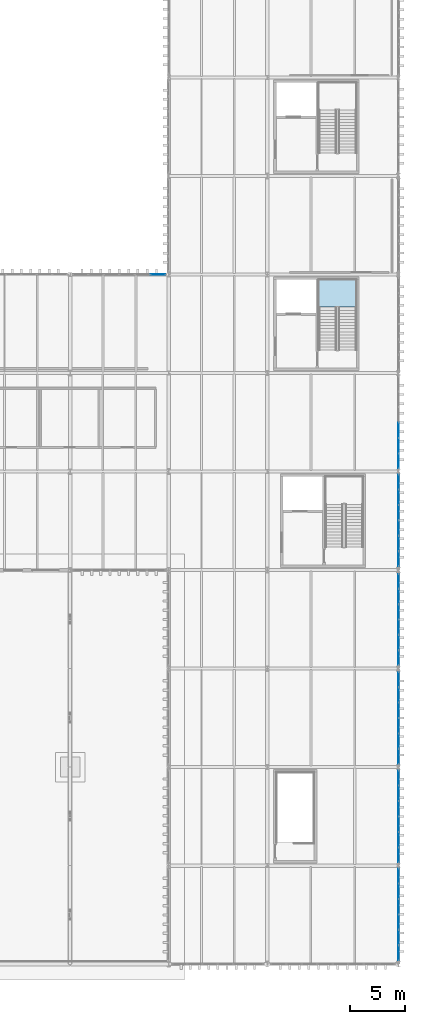
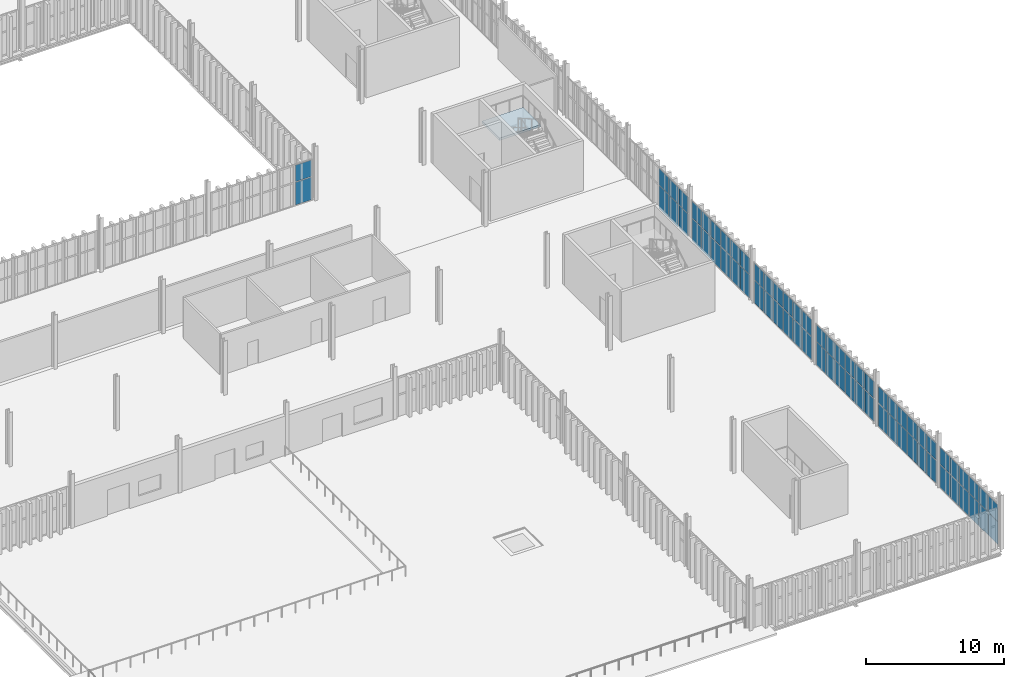
# One storey, part 167 of 196: 68 plates, 1 slab, 8 elements without a shape of their own.
"""IFC4 building model written with IfcOpenShell, lengths in metres."""

import ifcopenshell
import ifcopenshell.guid

model = None  # the IFC model being written
_history = None  # IfcOwnerHistory: only IFC2X3 demands one
_inside = {}  # id of a spatial element -> (the spatial element, [elements in it])
_under = {}  # id of a project, library or spatial element -> (it, [spatial elements below it])
_declared = {}  # id of a project -> (the project, [libraries it declares])
_typed = {}  # id of a type object -> (the type object, [elements of that type])
_made_of = {}  # id of a material, layer set ... -> (it, [elements and type objects made of it])


def new_model(schema):
    """Start an empty IFC model of exactly this schema.

    Asked for "IFC4X3", IfcOpenShell would pick the latest addendum, in which some entities
    have other attributes; the version numbers below select the first issue.
    IFC2X3 requires an IfcOwnerHistory on every rooted entity: one is made here for all.
    """
    global model, _history
    if schema == "IFC4X3":
        model = ifcopenshell.file(schema_version=(4, 3, 0, 0))
    else:
        model = ifcopenshell.file(schema=schema)
    _inside.clear()
    _under.clear()
    _declared.clear()
    _typed.clear()
    _made_of.clear()
    _history = None
    if model.schema == "IFC2X3":
        org = make("IfcOrganization", Name="unknown")
        user = make(
            "IfcPersonAndOrganization",
            ThePerson=make("IfcPerson", FamilyName="unknown"),
            TheOrganization=org,
        )
        app = make(
            "IfcApplication",
            ApplicationDeveloper=org,
            Version="unknown",
            ApplicationFullName="unknown",
            ApplicationIdentifier="unknown",
        )
        _history = make(
            "IfcOwnerHistory",
            OwningUser=user,
            OwningApplication=app,
            ChangeAction="ADDED",
            CreationDate=0,
        )
    return model


def make(cls, **values):
    """One entity of the class cls with the attributes given. An attribute that is None is left unset."""
    return model.create_entity(
        cls, **{name: value for name, value in values.items() if value is not None}
    )


def rooted(cls, **values):
    """An entity with a GlobalId (a new one), such as an element, a storey or a relation."""
    return make(cls, GlobalId=ifcopenshell.guid.new(), OwnerHistory=_history, **values)


def si_unit(unit_type, name, prefix=None):
    """IfcSIUnit, for example si_unit("LENGTHUNIT", "METRE", prefix="MILLI")."""
    return make("IfcSIUnit", UnitType=unit_type, Prefix=prefix, Name=name)


def assignment(units):
    """IfcUnitAssignment: the units of a project."""
    return None if units is None else make("IfcUnitAssignment", Units=units)


def point(xyz):
    """IfcCartesianPoint."""
    return None if xyz is None else make("IfcCartesianPoint", Coordinates=xyz)


def direction(xyz):
    """IfcDirection."""
    return None if xyz is None else make("IfcDirection", DirectionRatios=xyz)


def frame(location, z_axis=None, x_axis=None):
    """IfcAxis2Placement3D, a coordinate frame: its origin and axes. An axis left out is left unset."""
    return make(
        "IfcAxis2Placement3D",
        Location=point(location),
        Axis=direction(z_axis),
        RefDirection=direction(x_axis),
    )


def frame_2d(location, x_axis=None):
    """IfcAxis2Placement2D, a coordinate frame in the plane: its origin and x axis."""
    return make(
        "IfcAxis2Placement2D", Location=point(location), RefDirection=direction(x_axis)
    )


def origin():
    """The frame at (0, 0, 0) with its axes left unset."""
    return frame((0.0, 0.0, 0.0))


def origin_2d():
    """The frame at (0, 0) in the plane with its x axis left unset."""
    return frame_2d((0.0, 0.0))


def place(relative_to, where):
    """IfcLocalPlacement: puts the frame where relative to a parent placement (None: the world)."""
    return make(
        "IfcLocalPlacement", PlacementRelTo=relative_to, RelativePlacement=where
    )


def context(
    kind, dimensions, precision=None, world=None, true_north=None, identifier=None
):
    """IfcGeometricRepresentationContext, for example the 3D "Model" context."""
    return make(
        "IfcGeometricRepresentationContext",
        ContextIdentifier=identifier,
        ContextType=kind,
        CoordinateSpaceDimension=dimensions,
        Precision=precision,
        WorldCoordinateSystem=world,
        TrueNorth=true_north,
    )


def subcontext(parent, identifier, kind, view, scale=None):
    """IfcGeometricRepresentationSubContext, for example "Body" below "Model"."""
    return make(
        "IfcGeometricRepresentationSubContext",
        ContextIdentifier=identifier,
        ContextType=kind,
        ParentContext=parent,
        TargetScale=scale,
        TargetView=view,
    )


def project(units=None, contexts=None):
    """IfcProject with its units and contexts."""
    return rooted(
        "IfcProject",
        Name="project",
        RepresentationContexts=contexts,
        UnitsInContext=assignment(units),
    )


def spatial(cls, under=None, at=None, **own):
    """A site, building, storey or space (cls), placed at a placement, below another one or the project."""
    s = rooted(cls, ObjectPlacement=at, **own)
    if under is not None:
        _under.setdefault(under.id(), (under, []))[1].append(s)
    return s


def polyline(points):
    """IfcPolyline through the points."""
    return make("IfcPolyline", Points=[point(p) for p in points])


def profile(cls, at=None, kind="AREA", **sizes):
    """A parametric profile (cls). Its sizes go by their IFC names, for example OverallWidth=200.0."""
    return make(cls, ProfileType=kind, Position=at, **sizes)


def rectangle(**sizes):
    """IfcRectangleProfileDef."""
    return profile("IfcRectangleProfileDef", **sizes)


def outline(outer, holes=None, kind="AREA"):
    """IfcArbitraryClosedProfileDef: a profile drawn as a closed curve; with holes, ...WithVoids."""
    if holes is None:
        return make("IfcArbitraryClosedProfileDef", ProfileType=kind, OuterCurve=outer)
    return make(
        "IfcArbitraryProfileDefWithVoids",
        ProfileType=kind,
        OuterCurve=outer,
        InnerCurves=holes,
    )


def extrude(swept, where, along, depth):
    """IfcExtrudedAreaSolid: the profile swept, set in the frame where, extruded along a direction by depth."""
    return make(
        "IfcExtrudedAreaSolid",
        SweptArea=swept,
        Position=where,
        ExtrudedDirection=direction(along),
        Depth=depth,
    )


def shape(context_of_items, identifier, shape_type, items):
    """IfcShapeRepresentation: the items that make up one representation, for example the "Body"."""
    return make(
        "IfcShapeRepresentation",
        ContextOfItems=context_of_items,
        RepresentationIdentifier=identifier,
        RepresentationType=shape_type,
        Items=items,
    )


def material(Name=None, Category=None):
    """IfcMaterial."""
    return make("IfcMaterial", Name=Name, Category=Category)


def layer(
    of_material, thickness, ventilated=None, Name=None, Category=None, Priority=None
):
    """IfcMaterialLayer: one layer of a wall or slab, of a material (None: an air gap)."""
    return make(
        "IfcMaterialLayer",
        Material=of_material,
        LayerThickness=thickness,
        IsVentilated=ventilated,
        Name=Name,
        Category=Category,
        Priority=Priority,
    )


def layer_set(layers, Name=None):
    """IfcMaterialLayerSet."""
    return make("IfcMaterialLayerSet", MaterialLayers=layers, LayerSetName=Name)


def made_of(thing, what):
    """Note that an element or type object is made of a material, layer set ...; save() writes the relation."""
    if what is not None:
        _made_of.setdefault(what.id(), (what, []))[1].append(thing)
    return thing


def type_object(cls, material=None, **own):
    """A type object (cls), such as IfcWallType, which elements share."""
    return made_of(rooted(cls, **own), material)


def element(
    cls,
    number,
    at=None,
    inside=None,
    cuts=None,
    type_object=None,
    material=None,
    context=None,
    identifier="Body",
    shape_type=None,
    held_by="IfcProductDefinitionShape",
    body=None,
    shapes=None,
    **own,
):
    """One element of the class cls, such as IfcWall. Its Tag is "e" and its number.

    at: its placement. inside: the storey or other place that contains it. cuts: it is an
    opening in that element (IfcRelVoidsElement). A single representation is given by context,
    identifier, shape_type and body (its items); several are given by shapes. held_by: the class
    of the entity that holds the representations. save() writes the other relations.
    """
    e = rooted(cls, Tag="e%d" % number, ObjectPlacement=at, **own)
    if body is not None:
        shapes = [shape(context, identifier, shape_type, body)]
    if shapes is not None:
        e.Representation = make(held_by, Representations=shapes)
    if inside is not None:
        _inside.setdefault(inside.id(), (inside, []))[1].append(e)
    if cuts is not None:
        rooted(
            "IfcRelVoidsElement", RelatingBuildingElement=cuts, RelatedOpeningElement=e
        )
    if type_object is not None:
        _typed.setdefault(type_object.id(), (type_object, []))[1].append(e)
    return made_of(e, material)


def aggregate(whole, parts):
    """IfcRelAggregates: a whole, such as a stair, and the parts it consists of."""
    return rooted("IfcRelAggregates", RelatingObject=whole, RelatedObjects=parts)


def save(model, path):
    """Write the relations noted so far, then the file.

    IfcRelAggregates (storeys below a building ...), IfcRelContainedInSpatialStructure (elements
    in a storey), IfcRelDefinesByType, IfcRelAssociatesMaterial and IfcRelDeclares: one each for
    every whole, place, type object, material and project.
    """
    for whole, parts in _under.values():
        aggregate(whole, parts)
    for where, things in _inside.values():
        rooted(
            "IfcRelContainedInSpatialStructure",
            RelatedElements=things,
            RelatingStructure=where,
        )
    for kind, things in _typed.values():
        rooted("IfcRelDefinesByType", RelatedObjects=things, RelatingType=kind)
    for what, things in _made_of.values():
        rooted("IfcRelAssociatesMaterial", RelatedObjects=things, RelatingMaterial=what)
    for by, libraries in _declared.values():
        rooted("IfcRelDeclares", RelatingContext=by, RelatedDefinitions=libraries)
    model.write(path)


model = new_model("IFC4")

# Units and contexts
model_context = context("Model", 3, precision=1e-05, world=origin(), true_north=direction((0.0, 1.0)))
body_context = subcontext(model_context, "Body", "Model", "MODEL_VIEW")
ifc_project = project(units=[si_unit("LENGTHUNIT", "METRE"), si_unit("AREAUNIT", "SQUARE_METRE"), si_unit("VOLUMEUNIT", "CUBIC_METRE"), si_unit("PLANEANGLEUNIT", "RADIAN"), si_unit("MASSUNIT", "GRAM", prefix="KILO")], contexts=[model_context])

# Site, building, storey
site_placement = place(None, origin())
site = spatial("IfcSite", under=ifc_project, at=site_placement, CompositionType="ELEMENT")
building_placement = place(site_placement, origin())
building = spatial("IfcBuilding", under=site, at=building_placement, Name="Barlavento Convention Centre", CompositionType="ELEMENT")
storey_placement = place(building_placement, frame((0.0, 0.0, 18.0)))
storey = spatial("IfcBuildingStorey", under=building, at=storey_placement, Name="L03", CompositionType="ELEMENT", Elevation=18.0)

# Curtain wall, plates
ifc_material_1 = material(Name="Powder-coated aluminium and Low-E glass", Category="aluminium")
ifc_layer_1 = layer(ifc_material_1, 0.179931640625)
ifc_layer_set_1 = layer_set([ifc_layer_1], Name="ARC-CW-CONF-L03")
curtain_wall_type_1 = type_object("IfcCurtainWallType", Name="ARC-CW-CONF-L03", PredefinedType="NOTDEFINED", material=ifc_layer_set_1)
curtain_wall_1_placement = place(storey_placement, origin())
curtain_wall_1 = element("IfcCurtainWall", 1, at=curtain_wall_1_placement, inside=storey, type_object=curtain_wall_type_1, Name="L03 unitised curtain wall CW08", PredefinedType="NOTDEFINED")
ifc_material_2 = material(Name="Double-silver Low-E insulated glass", Category="glass")
ifc_layer_2 = layer(ifc_material_2, 0.028076171875)
ifc_layer_set_2 = layer_set([ifc_layer_2], Name="ARC-CWP-GLZ28")
plate_type = type_object("IfcPlateType", Name="ARC-CWP-GLZ28", PredefinedType="CURTAIN_PANEL", material=ifc_layer_set_2)
plate_1_placement = place(storey_placement, frame((192.0, 1.030029296875, 0.06005859375), z_axis=(0.0, 0.0, 1.0), x_axis=(0.0, 1.0, 0.0)))
plate_1 = element("IfcPlate", 2, at=plate_1_placement, type_object=plate_type, Name="CW08 panel 1.1", PredefinedType="CURTAIN_PANEL", context=body_context, shape_type="SweptSolid", body=[
    extrude(rectangle(XDim=1.320068359375, YDim=0.028076171875, at=origin_2d()), origin(), (0.0, 0.0, 1.0), 2.010009765625),
])
plate_2_placement = place(storey_placement, frame((192.0, 1.030029296875, 2.130126953125), z_axis=(0.0, 0.0, 1.0), x_axis=(0.0, 1.0, 0.0)))
plate_2 = element("IfcPlate", 3, at=plate_2_placement, type_object=plate_type, Name="CW08 panel 1.2", PredefinedType="CURTAIN_PANEL", context=body_context, shape_type="SweptSolid", body=[
    extrude(rectangle(XDim=1.320068359375, YDim=0.028076171875, at=origin_2d()), origin(), (0.0, 0.0, 1.0), 1.4599609375),
])
plate_3_placement = place(storey_placement, frame((192.0, 2.425048828125, 0.06005859375), z_axis=(0.0, 0.0, 1.0), x_axis=(0.0, 1.0, 0.0)))
plate_3 = element("IfcPlate", 4, at=plate_3_placement, type_object=plate_type, Name="CW08 panel 2.1", PredefinedType="CURTAIN_PANEL", context=body_context, shape_type="SweptSolid", body=[
    extrude(rectangle(XDim=1.35009765625, YDim=0.028076171875, at=origin_2d()), origin(), (0.0, 0.0, 1.0), 2.010009765625),
])
plate_4_placement = place(storey_placement, frame((192.0, 2.425048828125, 2.130126953125), z_axis=(0.0, 0.0, 1.0), x_axis=(0.0, 1.0, 0.0)))
plate_4 = element("IfcPlate", 5, at=plate_4_placement, type_object=plate_type, Name="CW08 panel 2.2", PredefinedType="CURTAIN_PANEL", context=body_context, shape_type="SweptSolid", body=[
    extrude(rectangle(XDim=1.35009765625, YDim=0.028076171875, at=origin_2d()), origin(), (0.0, 0.0, 1.0), 1.4599609375),
])
plate_5_placement = place(storey_placement, frame((192.0, 3.8349609375, 0.06005859375), z_axis=(0.0, 0.0, 1.0), x_axis=(0.0, 1.0, 0.0)))
plate_5 = element("IfcPlate", 6, at=plate_5_placement, type_object=plate_type, Name="CW08 panel 3.1", PredefinedType="CURTAIN_PANEL", context=body_context, shape_type="SweptSolid", body=[
    extrude(rectangle(XDim=1.35009765625, YDim=0.028076171875, at=origin_2d()), origin(), (0.0, 0.0, 1.0), 2.010009765625),
])
plate_6_placement = place(storey_placement, frame((192.0, 3.8349609375, 2.130126953125), z_axis=(0.0, 0.0, 1.0), x_axis=(0.0, 1.0, 0.0)))
plate_6 = element("IfcPlate", 7, at=plate_6_placement, type_object=plate_type, Name="CW08 panel 3.2", PredefinedType="CURTAIN_PANEL", context=body_context, shape_type="SweptSolid", body=[
    extrude(rectangle(XDim=1.35009765625, YDim=0.028076171875, at=origin_2d()), origin(), (0.0, 0.0, 1.0), 1.4599609375),
])
plate_7_placement = place(storey_placement, frame((192.0, 5.2451171875, 0.06005859375), z_axis=(0.0, 0.0, 1.0), x_axis=(0.0, 1.0, 0.0)))
plate_7 = element("IfcPlate", 8, at=plate_7_placement, type_object=plate_type, Name="CW08 panel 4.1", PredefinedType="CURTAIN_PANEL", context=body_context, shape_type="SweptSolid", body=[
    extrude(rectangle(XDim=1.35009765625, YDim=0.028076171875, at=origin_2d()), origin(), (0.0, 0.0, 1.0), 2.010009765625),
])
plate_8_placement = place(storey_placement, frame((192.0, 5.2451171875, 2.130126953125), z_axis=(0.0, 0.0, 1.0), x_axis=(0.0, 1.0, 0.0)))
plate_8 = element("IfcPlate", 9, at=plate_8_placement, type_object=plate_type, Name="CW08 panel 4.2", PredefinedType="CURTAIN_PANEL", context=body_context, shape_type="SweptSolid", body=[
    extrude(rectangle(XDim=1.35009765625, YDim=0.028076171875, at=origin_2d()), origin(), (0.0, 0.0, 1.0), 1.4599609375),
])
plate_9_placement = place(storey_placement, frame((192.0, 6.655029296875, 0.06005859375), z_axis=(0.0, 0.0, 1.0), x_axis=(0.0, 1.0, 0.0)))
plate_9 = element("IfcPlate", 10, at=plate_9_placement, type_object=plate_type, Name="CW08 panel 5.1", PredefinedType="CURTAIN_PANEL", context=body_context, shape_type="SweptSolid", body=[
    extrude(rectangle(XDim=1.35009765625, YDim=0.028076171875, at=origin_2d()), origin(), (0.0, 0.0, 1.0), 2.010009765625),
])
plate_10_placement = place(storey_placement, frame((192.0, 6.655029296875, 2.130126953125), z_axis=(0.0, 0.0, 1.0), x_axis=(0.0, 1.0, 0.0)))
plate_10 = element("IfcPlate", 11, at=plate_10_placement, type_object=plate_type, Name="CW08 panel 5.2", PredefinedType="CURTAIN_PANEL", context=body_context, shape_type="SweptSolid", body=[
    extrude(rectangle(XDim=1.35009765625, YDim=0.028076171875, at=origin_2d()), origin(), (0.0, 0.0, 1.0), 1.4599609375),
])
plate_11_placement = place(storey_placement, frame((192.0, 8.050048828125, 0.06005859375), z_axis=(0.0, 0.0, 1.0), x_axis=(0.0, 1.0, 0.0)))
plate_11 = element("IfcPlate", 12, at=plate_11_placement, type_object=plate_type, Name="CW08 panel 6.1", PredefinedType="CURTAIN_PANEL", context=body_context, shape_type="SweptSolid", body=[
    extrude(rectangle(XDim=1.320068359375, YDim=0.028076171875, at=origin_2d()), origin(), (0.0, 0.0, 1.0), 2.010009765625),
])
plate_12_placement = place(storey_placement, frame((192.0, 8.050048828125, 2.130126953125), z_axis=(0.0, 0.0, 1.0), x_axis=(0.0, 1.0, 0.0)))
plate_12 = element("IfcPlate", 13, at=plate_12_placement, type_object=plate_type, Name="CW08 panel 6.2", PredefinedType="CURTAIN_PANEL", context=body_context, shape_type="SweptSolid", body=[
    extrude(rectangle(XDim=1.320068359375, YDim=0.028076171875, at=origin_2d()), origin(), (0.0, 0.0, 1.0), 1.4599609375),
])
aggregate(curtain_wall_1, [plate_1, plate_2, plate_3, plate_4, plate_5, plate_6, plate_7, plate_8, plate_9, plate_10, plate_11, plate_12])

curtain_wall_2_placement = place(storey_placement, origin())
curtain_wall_2 = element("IfcCurtainWall", 14, at=curtain_wall_2_placement, inside=storey, type_object=curtain_wall_type_1, Name="L03 unitised curtain wall CW08", PredefinedType="NOTDEFINED")
plate_13_placement = place(storey_placement, frame((192.0, 9.9541015625, 0.06005859375), z_axis=(0.0, 0.0, 1.0), x_axis=(0.0, 1.0, 0.0)))
plate_13 = element("IfcPlate", 15, at=plate_13_placement, type_object=plate_type, Name="CW08 panel 1.1", PredefinedType="CURTAIN_PANEL", context=body_context, shape_type="SweptSolid", body=[
    extrude(rectangle(XDim=1.328369140625, YDim=0.028076171875, at=origin_2d()), origin(), (0.0, 0.0, 1.0), 2.010009765625),
])
plate_14_placement = place(storey_placement, frame((192.0, 9.9541015625, 2.130126953125), z_axis=(0.0, 0.0, 1.0), x_axis=(0.0, 1.0, 0.0)))
plate_14 = element("IfcPlate", 16, at=plate_14_placement, type_object=plate_type, Name="CW08 panel 1.2", PredefinedType="CURTAIN_PANEL", context=body_context, shape_type="SweptSolid", body=[
    extrude(rectangle(XDim=1.328369140625, YDim=0.028076171875, at=origin_2d()), origin(), (0.0, 0.0, 1.0), 1.4599609375),
])
plate_15_placement = place(storey_placement, frame((192.0, 11.357421875, 0.06005859375), z_axis=(0.0, 0.0, 1.0), x_axis=(0.0, 1.0, 0.0)))
plate_15 = element("IfcPlate", 17, at=plate_15_placement, type_object=plate_type, Name="CW08 panel 2.1", PredefinedType="CURTAIN_PANEL", context=body_context, shape_type="SweptSolid", body=[
    extrude(rectangle(XDim=1.3583984375, YDim=0.028076171875, at=origin_2d()), origin(), (0.0, 0.0, 1.0), 2.010009765625),
])
plate_16_placement = place(storey_placement, frame((192.0, 11.357421875, 2.130126953125), z_axis=(0.0, 0.0, 1.0), x_axis=(0.0, 1.0, 0.0)))
plate_16 = element("IfcPlate", 18, at=plate_16_placement, type_object=plate_type, Name="CW08 panel 2.2", PredefinedType="CURTAIN_PANEL", context=body_context, shape_type="SweptSolid", body=[
    extrude(rectangle(XDim=1.3583984375, YDim=0.028076171875, at=origin_2d()), origin(), (0.0, 0.0, 1.0), 1.4599609375),
])
plate_17_placement = place(storey_placement, frame((192.0, 12.77587890625, 0.06005859375), z_axis=(0.0, 0.0, 1.0), x_axis=(0.0, 1.0, 0.0)))
plate_17 = element("IfcPlate", 19, at=plate_17_placement, type_object=plate_type, Name="CW08 panel 3.1", PredefinedType="CURTAIN_PANEL", context=body_context, shape_type="SweptSolid", body=[
    extrude(rectangle(XDim=1.3583984375, YDim=0.028076171875, at=origin_2d()), origin(), (0.0, 0.0, 1.0), 2.010009765625),
])
plate_18_placement = place(storey_placement, frame((192.0, 12.77587890625, 2.130126953125), z_axis=(0.0, 0.0, 1.0), x_axis=(0.0, 1.0, 0.0)))
plate_18 = element("IfcPlate", 20, at=plate_18_placement, type_object=plate_type, Name="CW08 panel 3.2", PredefinedType="CURTAIN_PANEL", context=body_context, shape_type="SweptSolid", body=[
    extrude(rectangle(XDim=1.3583984375, YDim=0.028076171875, at=origin_2d()), origin(), (0.0, 0.0, 1.0), 1.4599609375),
])
plate_19_placement = place(storey_placement, frame((192.0, 14.194091796875, 0.06005859375), z_axis=(0.0, 0.0, 1.0), x_axis=(0.0, 1.0, 0.0)))
plate_19 = element("IfcPlate", 21, at=plate_19_placement, type_object=plate_type, Name="CW08 panel 4.1", PredefinedType="CURTAIN_PANEL", context=body_context, shape_type="SweptSolid", body=[
    extrude(rectangle(XDim=1.3583984375, YDim=0.028076171875, at=origin_2d()), origin(), (0.0, 0.0, 1.0), 2.010009765625),
])
plate_20_placement = place(storey_placement, frame((192.0, 14.194091796875, 2.130126953125), z_axis=(0.0, 0.0, 1.0), x_axis=(0.0, 1.0, 0.0)))
plate_20 = element("IfcPlate", 22, at=plate_20_placement, type_object=plate_type, Name="CW08 panel 4.2", PredefinedType="CURTAIN_PANEL", context=body_context, shape_type="SweptSolid", body=[
    extrude(rectangle(XDim=1.3583984375, YDim=0.028076171875, at=origin_2d()), origin(), (0.0, 0.0, 1.0), 1.4599609375),
])
plate_21_placement = place(storey_placement, frame((192.0, 15.612548828125, 0.06005859375), z_axis=(0.0, 0.0, 1.0), x_axis=(0.0, 1.0, 0.0)))
plate_21 = element("IfcPlate", 23, at=plate_21_placement, type_object=plate_type, Name="CW08 panel 5.1", PredefinedType="CURTAIN_PANEL", context=body_context, shape_type="SweptSolid", body=[
    extrude(rectangle(XDim=1.3583984375, YDim=0.028076171875, at=origin_2d()), origin(), (0.0, 0.0, 1.0), 2.010009765625),
])
plate_22_placement = place(storey_placement, frame((192.0, 15.612548828125, 2.130126953125), z_axis=(0.0, 0.0, 1.0), x_axis=(0.0, 1.0, 0.0)))
plate_22 = element("IfcPlate", 24, at=plate_22_placement, type_object=plate_type, Name="CW08 panel 5.2", PredefinedType="CURTAIN_PANEL", context=body_context, shape_type="SweptSolid", body=[
    extrude(rectangle(XDim=1.3583984375, YDim=0.028076171875, at=origin_2d()), origin(), (0.0, 0.0, 1.0), 1.4599609375),
])
plate_23_placement = place(storey_placement, frame((192.0, 17.015869140625, 0.06005859375), z_axis=(0.0, 0.0, 1.0), x_axis=(0.0, 1.0, 0.0)))
plate_23 = element("IfcPlate", 25, at=plate_23_placement, type_object=plate_type, Name="CW08 panel 6.1", PredefinedType="CURTAIN_PANEL", context=body_context, shape_type="SweptSolid", body=[
    extrude(rectangle(XDim=1.328369140625, YDim=0.028076171875, at=origin_2d()), origin(), (0.0, 0.0, 1.0), 2.010009765625),
])
plate_24_placement = place(storey_placement, frame((192.0, 17.015869140625, 2.130126953125), z_axis=(0.0, 0.0, 1.0), x_axis=(0.0, 1.0, 0.0)))
plate_24 = element("IfcPlate", 26, at=plate_24_placement, type_object=plate_type, Name="CW08 panel 6.2", PredefinedType="CURTAIN_PANEL", context=body_context, shape_type="SweptSolid", body=[
    extrude(rectangle(XDim=1.328369140625, YDim=0.028076171875, at=origin_2d()), origin(), (0.0, 0.0, 1.0), 1.4599609375),
])
aggregate(curtain_wall_2, [plate_13, plate_14, plate_15, plate_16, plate_17, plate_18, plate_19, plate_20, plate_21, plate_22, plate_23, plate_24])

curtain_wall_3_placement = place(storey_placement, origin())
curtain_wall_3 = element("IfcCurtainWall", 27, at=curtain_wall_3_placement, inside=storey, type_object=curtain_wall_type_1, Name="L03 unitised curtain wall CW08", PredefinedType="NOTDEFINED")
plate_25_placement = place(storey_placement, frame((192.0, 18.9794921875, 0.06005859375), z_axis=(0.0, 0.0, 1.0), x_axis=(0.0, 1.0, 0.0)))
plate_25 = element("IfcPlate", 28, at=plate_25_placement, type_object=plate_type, Name="CW08 panel 1.1", PredefinedType="CURTAIN_PANEL", context=body_context, shape_type="SweptSolid", body=[
    extrude(rectangle(XDim=1.319091796875, YDim=0.028076171875, at=origin_2d()), origin(), (0.0, 0.0, 1.0), 2.010009765625),
])
plate_26_placement = place(storey_placement, frame((192.0, 18.9794921875, 2.130126953125), z_axis=(0.0, 0.0, 1.0), x_axis=(0.0, 1.0, 0.0)))
plate_26 = element("IfcPlate", 29, at=plate_26_placement, type_object=plate_type, Name="CW08 panel 1.2", PredefinedType="CURTAIN_PANEL", context=body_context, shape_type="SweptSolid", body=[
    extrude(rectangle(XDim=1.319091796875, YDim=0.028076171875, at=origin_2d()), origin(), (0.0, 0.0, 1.0), 1.4599609375),
])
plate_27_placement = place(storey_placement, frame((192.0, 20.373779296875, 0.06005859375), z_axis=(0.0, 0.0, 1.0), x_axis=(0.0, 1.0, 0.0)))
plate_27 = element("IfcPlate", 30, at=plate_27_placement, type_object=plate_type, Name="CW08 panel 2.1", PredefinedType="CURTAIN_PANEL", context=body_context, shape_type="SweptSolid", body=[
    extrude(rectangle(XDim=1.34912109375, YDim=0.028076171875, at=origin_2d()), origin(), (0.0, 0.0, 1.0), 2.010009765625),
])
plate_28_placement = place(storey_placement, frame((192.0, 20.373779296875, 2.130126953125), z_axis=(0.0, 0.0, 1.0), x_axis=(0.0, 1.0, 0.0)))
plate_28 = element("IfcPlate", 31, at=plate_28_placement, type_object=plate_type, Name="CW08 panel 2.2", PredefinedType="CURTAIN_PANEL", context=body_context, shape_type="SweptSolid", body=[
    extrude(rectangle(XDim=1.34912109375, YDim=0.028076171875, at=origin_2d()), origin(), (0.0, 0.0, 1.0), 1.4599609375),
])
plate_29_placement = place(storey_placement, frame((192.0, 21.782958984375, 0.06005859375), z_axis=(0.0, 0.0, 1.0), x_axis=(0.0, 1.0, 0.0)))
plate_29 = element("IfcPlate", 32, at=plate_29_placement, type_object=plate_type, Name="CW08 panel 3.1", PredefinedType="CURTAIN_PANEL", context=body_context, shape_type="SweptSolid", body=[
    extrude(rectangle(XDim=1.34912109375, YDim=0.028076171875, at=origin_2d()), origin(), (0.0, 0.0, 1.0), 2.010009765625),
])
plate_30_placement = place(storey_placement, frame((192.0, 21.782958984375, 2.130126953125), z_axis=(0.0, 0.0, 1.0), x_axis=(0.0, 1.0, 0.0)))
plate_30 = element("IfcPlate", 33, at=plate_30_placement, type_object=plate_type, Name="CW08 panel 3.2", PredefinedType="CURTAIN_PANEL", context=body_context, shape_type="SweptSolid", body=[
    extrude(rectangle(XDim=1.34912109375, YDim=0.028076171875, at=origin_2d()), origin(), (0.0, 0.0, 1.0), 1.4599609375),
])
plate_31_placement = place(storey_placement, frame((192.0, 23.192138671875, 0.06005859375), z_axis=(0.0, 0.0, 1.0), x_axis=(0.0, 1.0, 0.0)))
plate_31 = element("IfcPlate", 34, at=plate_31_placement, type_object=plate_type, Name="CW08 panel 4.1", PredefinedType="CURTAIN_PANEL", context=body_context, shape_type="SweptSolid", body=[
    extrude(rectangle(XDim=1.34912109375, YDim=0.028076171875, at=origin_2d()), origin(), (0.0, 0.0, 1.0), 2.010009765625),
])
plate_32_placement = place(storey_placement, frame((192.0, 23.192138671875, 2.130126953125), z_axis=(0.0, 0.0, 1.0), x_axis=(0.0, 1.0, 0.0)))
plate_32 = element("IfcPlate", 35, at=plate_32_placement, type_object=plate_type, Name="CW08 panel 4.2", PredefinedType="CURTAIN_PANEL", context=body_context, shape_type="SweptSolid", body=[
    extrude(rectangle(XDim=1.34912109375, YDim=0.028076171875, at=origin_2d()), origin(), (0.0, 0.0, 1.0), 1.4599609375),
])
plate_33_placement = place(storey_placement, frame((192.0, 24.601318359375, 0.06005859375), z_axis=(0.0, 0.0, 1.0), x_axis=(0.0, 1.0, 0.0)))
plate_33 = element("IfcPlate", 36, at=plate_33_placement, type_object=plate_type, Name="CW08 panel 5.1", PredefinedType="CURTAIN_PANEL", context=body_context, shape_type="SweptSolid", body=[
    extrude(rectangle(XDim=1.34912109375, YDim=0.028076171875, at=origin_2d()), origin(), (0.0, 0.0, 1.0), 2.010009765625),
])
plate_34_placement = place(storey_placement, frame((192.0, 24.601318359375, 2.130126953125), z_axis=(0.0, 0.0, 1.0), x_axis=(0.0, 1.0, 0.0)))
plate_34 = element("IfcPlate", 37, at=plate_34_placement, type_object=plate_type, Name="CW08 panel 5.2", PredefinedType="CURTAIN_PANEL", context=body_context, shape_type="SweptSolid", body=[
    extrude(rectangle(XDim=1.34912109375, YDim=0.028076171875, at=origin_2d()), origin(), (0.0, 0.0, 1.0), 1.4599609375),
])
plate_35_placement = place(storey_placement, frame((192.0, 25.995361328125, 0.06005859375), z_axis=(0.0, 0.0, 1.0), x_axis=(0.0, 1.0, 0.0)))
plate_35 = element("IfcPlate", 38, at=plate_35_placement, type_object=plate_type, Name="CW08 panel 6.1", PredefinedType="CURTAIN_PANEL", context=body_context, shape_type="SweptSolid", body=[
    extrude(rectangle(XDim=1.319091796875, YDim=0.028076171875, at=origin_2d()), origin(), (0.0, 0.0, 1.0), 2.010009765625),
])
plate_36_placement = place(storey_placement, frame((192.0, 25.995361328125, 2.130126953125), z_axis=(0.0, 0.0, 1.0), x_axis=(0.0, 1.0, 0.0)))
plate_36 = element("IfcPlate", 39, at=plate_36_placement, type_object=plate_type, Name="CW08 panel 6.2", PredefinedType="CURTAIN_PANEL", context=body_context, shape_type="SweptSolid", body=[
    extrude(rectangle(XDim=1.319091796875, YDim=0.028076171875, at=origin_2d()), origin(), (0.0, 0.0, 1.0), 1.4599609375),
])
aggregate(curtain_wall_3, [plate_25, plate_26, plate_27, plate_28, plate_29, plate_30, plate_31, plate_32, plate_33, plate_34, plate_35, plate_36])

curtain_wall_4_placement = place(storey_placement, origin())
curtain_wall_4 = element("IfcCurtainWall", 40, at=curtain_wall_4_placement, inside=storey, type_object=curtain_wall_type_1, Name="L03 unitised curtain wall CW08", PredefinedType="NOTDEFINED")
plate_37_placement = place(storey_placement, frame((192.0, 28.00048828125, 0.06005859375), z_axis=(0.0, 0.0, 1.0), x_axis=(0.0, 1.0, 0.0)))
plate_37 = element("IfcPlate", 41, at=plate_37_placement, type_object=plate_type, Name="CW08 panel 1.1", PredefinedType="CURTAIN_PANEL", context=body_context, shape_type="SweptSolid", body=[
    extrude(rectangle(XDim=1.310791015625, YDim=0.028076171875, at=origin_2d()), origin(), (0.0, 0.0, 1.0), 2.010009765625),
])
plate_38_placement = place(storey_placement, frame((192.0, 28.00048828125, 2.130126953125), z_axis=(0.0, 0.0, 1.0), x_axis=(0.0, 1.0, 0.0)))
plate_38 = element("IfcPlate", 42, at=plate_38_placement, type_object=plate_type, Name="CW08 panel 1.2", PredefinedType="CURTAIN_PANEL", context=body_context, shape_type="SweptSolid", body=[
    extrude(rectangle(XDim=1.310791015625, YDim=0.028076171875, at=origin_2d()), origin(), (0.0, 0.0, 1.0), 1.4599609375),
])
plate_39_placement = place(storey_placement, frame((192.0, 29.38623046875, 0.06005859375), z_axis=(0.0, 0.0, 1.0), x_axis=(0.0, 1.0, 0.0)))
plate_39 = element("IfcPlate", 43, at=plate_39_placement, type_object=plate_type, Name="CW08 panel 2.1", PredefinedType="CURTAIN_PANEL", context=body_context, shape_type="SweptSolid", body=[
    extrude(rectangle(XDim=1.3408203125, YDim=0.028076171875, at=origin_2d()), origin(), (0.0, 0.0, 1.0), 2.010009765625),
])
plate_40_placement = place(storey_placement, frame((192.0, 29.38623046875, 2.130126953125), z_axis=(0.0, 0.0, 1.0), x_axis=(0.0, 1.0, 0.0)))
plate_40 = element("IfcPlate", 44, at=plate_40_placement, type_object=plate_type, Name="CW08 panel 2.2", PredefinedType="CURTAIN_PANEL", context=body_context, shape_type="SweptSolid", body=[
    extrude(rectangle(XDim=1.3408203125, YDim=0.028076171875, at=origin_2d()), origin(), (0.0, 0.0, 1.0), 1.4599609375),
])
plate_41_placement = place(storey_placement, frame((192.0, 30.787109375, 0.06005859375), z_axis=(0.0, 0.0, 1.0), x_axis=(0.0, 1.0, 0.0)))
plate_41 = element("IfcPlate", 45, at=plate_41_placement, type_object=plate_type, Name="CW08 panel 3.1", PredefinedType="CURTAIN_PANEL", context=body_context, shape_type="SweptSolid", body=[
    extrude(rectangle(XDim=1.3408203125, YDim=0.028076171875, at=origin_2d()), origin(), (0.0, 0.0, 1.0), 2.010009765625),
])
plate_42_placement = place(storey_placement, frame((192.0, 30.787109375, 2.130126953125), z_axis=(0.0, 0.0, 1.0), x_axis=(0.0, 1.0, 0.0)))
plate_42 = element("IfcPlate", 46, at=plate_42_placement, type_object=plate_type, Name="CW08 panel 3.2", PredefinedType="CURTAIN_PANEL", context=body_context, shape_type="SweptSolid", body=[
    extrude(rectangle(XDim=1.3408203125, YDim=0.028076171875, at=origin_2d()), origin(), (0.0, 0.0, 1.0), 1.4599609375),
])
plate_43_placement = place(storey_placement, frame((192.0, 32.18798828125, 0.06005859375), z_axis=(0.0, 0.0, 1.0), x_axis=(0.0, 1.0, 0.0)))
plate_43 = element("IfcPlate", 47, at=plate_43_placement, type_object=plate_type, Name="CW08 panel 4.1", PredefinedType="CURTAIN_PANEL", context=body_context, shape_type="SweptSolid", body=[
    extrude(rectangle(XDim=1.3408203125, YDim=0.028076171875, at=origin_2d()), origin(), (0.0, 0.0, 1.0), 2.010009765625),
])
plate_44_placement = place(storey_placement, frame((192.0, 32.18798828125, 2.130126953125), z_axis=(0.0, 0.0, 1.0), x_axis=(0.0, 1.0, 0.0)))
plate_44 = element("IfcPlate", 48, at=plate_44_placement, type_object=plate_type, Name="CW08 panel 4.2", PredefinedType="CURTAIN_PANEL", context=body_context, shape_type="SweptSolid", body=[
    extrude(rectangle(XDim=1.3408203125, YDim=0.028076171875, at=origin_2d()), origin(), (0.0, 0.0, 1.0), 1.4599609375),
])
plate_45_placement = place(storey_placement, frame((192.0, 33.5888671875, 0.06005859375), z_axis=(0.0, 0.0, 1.0), x_axis=(0.0, 1.0, 0.0)))
plate_45 = element("IfcPlate", 49, at=plate_45_placement, type_object=plate_type, Name="CW08 panel 5.1", PredefinedType="CURTAIN_PANEL", context=body_context, shape_type="SweptSolid", body=[
    extrude(rectangle(XDim=1.3408203125, YDim=0.028076171875, at=origin_2d()), origin(), (0.0, 0.0, 1.0), 2.010009765625),
])
plate_46_placement = place(storey_placement, frame((192.0, 33.5888671875, 2.130126953125), z_axis=(0.0, 0.0, 1.0), x_axis=(0.0, 1.0, 0.0)))
plate_46 = element("IfcPlate", 50, at=plate_46_placement, type_object=plate_type, Name="CW08 panel 5.2", PredefinedType="CURTAIN_PANEL", context=body_context, shape_type="SweptSolid", body=[
    extrude(rectangle(XDim=1.3408203125, YDim=0.028076171875, at=origin_2d()), origin(), (0.0, 0.0, 1.0), 1.4599609375),
])
plate_47_placement = place(storey_placement, frame((192.0, 34.974609375, 0.06005859375), z_axis=(0.0, 0.0, 1.0), x_axis=(0.0, 1.0, 0.0)))
plate_47 = element("IfcPlate", 51, at=plate_47_placement, type_object=plate_type, Name="CW08 panel 6.1", PredefinedType="CURTAIN_PANEL", context=body_context, shape_type="SweptSolid", body=[
    extrude(rectangle(XDim=1.310791015625, YDim=0.028076171875, at=origin_2d()), origin(), (0.0, 0.0, 1.0), 2.010009765625),
])
plate_48_placement = place(storey_placement, frame((192.0, 34.974609375, 2.130126953125), z_axis=(0.0, 0.0, 1.0), x_axis=(0.0, 1.0, 0.0)))
plate_48 = element("IfcPlate", 52, at=plate_48_placement, type_object=plate_type, Name="CW08 panel 6.2", PredefinedType="CURTAIN_PANEL", context=body_context, shape_type="SweptSolid", body=[
    extrude(rectangle(XDim=1.310791015625, YDim=0.028076171875, at=origin_2d()), origin(), (0.0, 0.0, 1.0), 1.4599609375),
])
aggregate(curtain_wall_4, [plate_37, plate_38, plate_39, plate_40, plate_41, plate_42, plate_43, plate_44, plate_45, plate_46, plate_47, plate_48])

curtain_wall_5_placement = place(storey_placement, origin())
curtain_wall_5 = element("IfcCurtainWall", 53, at=curtain_wall_5_placement, inside=storey, type_object=curtain_wall_type_1, Name="L03 unitised curtain wall CW08", PredefinedType="NOTDEFINED")
plate_49_placement = place(storey_placement, frame((192.0, 37.030029296875, 0.06005859375), z_axis=(0.0, 0.0, 1.0), x_axis=(0.0, 1.0, 0.0)))
plate_49 = element("IfcPlate", 54, at=plate_49_placement, type_object=plate_type, Name="CW08 panel 1.1", PredefinedType="CURTAIN_PANEL", context=body_context, shape_type="SweptSolid", body=[
    extrude(rectangle(XDim=1.320068359375, YDim=0.028076171875, at=origin_2d()), origin(), (0.0, 0.0, 1.0), 2.010009765625),
])
plate_50_placement = place(storey_placement, frame((192.0, 37.030029296875, 2.130126953125), z_axis=(0.0, 0.0, 1.0), x_axis=(0.0, 1.0, 0.0)))
plate_50 = element("IfcPlate", 55, at=plate_50_placement, type_object=plate_type, Name="CW08 panel 1.2", PredefinedType="CURTAIN_PANEL", context=body_context, shape_type="SweptSolid", body=[
    extrude(rectangle(XDim=1.320068359375, YDim=0.028076171875, at=origin_2d()), origin(), (0.0, 0.0, 1.0), 1.4599609375),
])
plate_51_placement = place(storey_placement, frame((192.0, 38.425048828125, 0.06005859375), z_axis=(0.0, 0.0, 1.0), x_axis=(0.0, 1.0, 0.0)))
plate_51 = element("IfcPlate", 56, at=plate_51_placement, type_object=plate_type, Name="CW08 panel 2.1", PredefinedType="CURTAIN_PANEL", context=body_context, shape_type="SweptSolid", body=[
    extrude(rectangle(XDim=1.35009765625, YDim=0.028076171875, at=origin_2d()), origin(), (0.0, 0.0, 1.0), 2.010009765625),
])
plate_52_placement = place(storey_placement, frame((192.0, 38.425048828125, 2.130126953125), z_axis=(0.0, 0.0, 1.0), x_axis=(0.0, 1.0, 0.0)))
plate_52 = element("IfcPlate", 57, at=plate_52_placement, type_object=plate_type, Name="CW08 panel 2.2", PredefinedType="CURTAIN_PANEL", context=body_context, shape_type="SweptSolid", body=[
    extrude(rectangle(XDim=1.35009765625, YDim=0.028076171875, at=origin_2d()), origin(), (0.0, 0.0, 1.0), 1.4599609375),
])
plate_53_placement = place(storey_placement, frame((192.0, 39.8349609375, 0.06005859375), z_axis=(0.0, 0.0, 1.0), x_axis=(0.0, 1.0, 0.0)))
plate_53 = element("IfcPlate", 58, at=plate_53_placement, type_object=plate_type, Name="CW08 panel 3.1", PredefinedType="CURTAIN_PANEL", context=body_context, shape_type="SweptSolid", body=[
    extrude(rectangle(XDim=1.35009765625, YDim=0.028076171875, at=origin_2d()), origin(), (0.0, 0.0, 1.0), 2.010009765625),
])
plate_54_placement = place(storey_placement, frame((192.0, 39.8349609375, 2.130126953125), z_axis=(0.0, 0.0, 1.0), x_axis=(0.0, 1.0, 0.0)))
plate_54 = element("IfcPlate", 59, at=plate_54_placement, type_object=plate_type, Name="CW08 panel 3.2", PredefinedType="CURTAIN_PANEL", context=body_context, shape_type="SweptSolid", body=[
    extrude(rectangle(XDim=1.35009765625, YDim=0.028076171875, at=origin_2d()), origin(), (0.0, 0.0, 1.0), 1.4599609375),
])
plate_55_placement = place(storey_placement, frame((192.0, 41.2451171875, 0.06005859375), z_axis=(0.0, 0.0, 1.0), x_axis=(0.0, 1.0, 0.0)))
plate_55 = element("IfcPlate", 60, at=plate_55_placement, type_object=plate_type, Name="CW08 panel 4.1", PredefinedType="CURTAIN_PANEL", context=body_context, shape_type="SweptSolid", body=[
    extrude(rectangle(XDim=1.35009765625, YDim=0.028076171875, at=origin_2d()), origin(), (0.0, 0.0, 1.0), 2.010009765625),
])
plate_56_placement = place(storey_placement, frame((192.0, 41.2451171875, 2.130126953125), z_axis=(0.0, 0.0, 1.0), x_axis=(0.0, 1.0, 0.0)))
plate_56 = element("IfcPlate", 61, at=plate_56_placement, type_object=plate_type, Name="CW08 panel 4.2", PredefinedType="CURTAIN_PANEL", context=body_context, shape_type="SweptSolid", body=[
    extrude(rectangle(XDim=1.35009765625, YDim=0.028076171875, at=origin_2d()), origin(), (0.0, 0.0, 1.0), 1.4599609375),
])
plate_57_placement = place(storey_placement, frame((192.0, 42.655029296875, 0.06005859375), z_axis=(0.0, 0.0, 1.0), x_axis=(0.0, 1.0, 0.0)))
plate_57 = element("IfcPlate", 62, at=plate_57_placement, type_object=plate_type, Name="CW08 panel 5.1", PredefinedType="CURTAIN_PANEL", context=body_context, shape_type="SweptSolid", body=[
    extrude(rectangle(XDim=1.35009765625, YDim=0.028076171875, at=origin_2d()), origin(), (0.0, 0.0, 1.0), 2.010009765625),
])
plate_58_placement = place(storey_placement, frame((192.0, 42.655029296875, 2.130126953125), z_axis=(0.0, 0.0, 1.0), x_axis=(0.0, 1.0, 0.0)))
plate_58 = element("IfcPlate", 63, at=plate_58_placement, type_object=plate_type, Name="CW08 panel 5.2", PredefinedType="CURTAIN_PANEL", context=body_context, shape_type="SweptSolid", body=[
    extrude(rectangle(XDim=1.35009765625, YDim=0.028076171875, at=origin_2d()), origin(), (0.0, 0.0, 1.0), 1.4599609375),
])
plate_59_placement = place(storey_placement, frame((192.0, 44.050048828125, 0.06005859375), z_axis=(0.0, 0.0, 1.0), x_axis=(0.0, 1.0, 0.0)))
plate_59 = element("IfcPlate", 64, at=plate_59_placement, type_object=plate_type, Name="CW08 panel 6.1", PredefinedType="CURTAIN_PANEL", context=body_context, shape_type="SweptSolid", body=[
    extrude(rectangle(XDim=1.320068359375, YDim=0.028076171875, at=origin_2d()), origin(), (0.0, 0.0, 1.0), 2.010009765625),
])
plate_60_placement = place(storey_placement, frame((192.0, 44.050048828125, 2.130126953125), z_axis=(0.0, 0.0, 1.0), x_axis=(0.0, 1.0, 0.0)))
plate_60 = element("IfcPlate", 65, at=plate_60_placement, type_object=plate_type, Name="CW08 panel 6.2", PredefinedType="CURTAIN_PANEL", context=body_context, shape_type="SweptSolid", body=[
    extrude(rectangle(XDim=1.320068359375, YDim=0.028076171875, at=origin_2d()), origin(), (0.0, 0.0, 1.0), 1.4599609375),
])
aggregate(curtain_wall_5, [plate_49, plate_50, plate_51, plate_52, plate_53, plate_54, plate_55, plate_56, plate_57, plate_58, plate_59, plate_60])

curtain_wall_6_placement = place(storey_placement, origin())
curtain_wall_6 = element("IfcCurtainWall", 66, at=curtain_wall_6_placement, inside=storey, type_object=curtain_wall_type_1, Name="L03 unitised curtain wall CW08", PredefinedType="NOTDEFINED")
plate_61_placement = place(storey_placement, frame((192.0, 45.9541015625, 0.06005859375), z_axis=(0.0, 0.0, 1.0), x_axis=(0.0, 1.0, 0.0)))
plate_61 = element("IfcPlate", 67, at=plate_61_placement, type_object=plate_type, Name="CW08 panel 1.1", PredefinedType="CURTAIN_PANEL", context=body_context, shape_type="SweptSolid", body=[
    extrude(rectangle(XDim=1.328369140625, YDim=0.028076171875, at=origin_2d()), origin(), (0.0, 0.0, 1.0), 2.010009765625),
])
plate_62_placement = place(storey_placement, frame((192.0, 45.9541015625, 2.130126953125), z_axis=(0.0, 0.0, 1.0), x_axis=(0.0, 1.0, 0.0)))
plate_62 = element("IfcPlate", 68, at=plate_62_placement, type_object=plate_type, Name="CW08 panel 1.2", PredefinedType="CURTAIN_PANEL", context=body_context, shape_type="SweptSolid", body=[
    extrude(rectangle(XDim=1.328369140625, YDim=0.028076171875, at=origin_2d()), origin(), (0.0, 0.0, 1.0), 1.4599609375),
])
plate_63_placement = place(storey_placement, frame((192.0, 47.357421875, 0.06005859375), z_axis=(0.0, 0.0, 1.0), x_axis=(0.0, 1.0, 0.0)))
plate_63 = element("IfcPlate", 69, at=plate_63_placement, type_object=plate_type, Name="CW08 panel 2.1", PredefinedType="CURTAIN_PANEL", context=body_context, shape_type="SweptSolid", body=[
    extrude(rectangle(XDim=1.3583984375, YDim=0.028076171875, at=origin_2d()), origin(), (0.0, 0.0, 1.0), 2.010009765625),
])
plate_64_placement = place(storey_placement, frame((192.0, 47.357421875, 2.130126953125), z_axis=(0.0, 0.0, 1.0), x_axis=(0.0, 1.0, 0.0)))
plate_64 = element("IfcPlate", 70, at=plate_64_placement, type_object=plate_type, Name="CW08 panel 2.2", PredefinedType="CURTAIN_PANEL", context=body_context, shape_type="SweptSolid", body=[
    extrude(rectangle(XDim=1.3583984375, YDim=0.028076171875, at=origin_2d()), origin(), (0.0, 0.0, 1.0), 1.4599609375),
])
plate_65_placement = place(storey_placement, frame((192.0, 48.77587890625, 0.06005859375), z_axis=(0.0, 0.0, 1.0), x_axis=(0.0, 1.0, 0.0)))
plate_65 = element("IfcPlate", 71, at=plate_65_placement, type_object=plate_type, Name="CW08 panel 3.1", PredefinedType="CURTAIN_PANEL", context=body_context, shape_type="SweptSolid", body=[
    extrude(rectangle(XDim=1.3583984375, YDim=0.028076171875, at=origin_2d()), origin(), (0.0, 0.0, 1.0), 2.010009765625),
])
plate_66_placement = place(storey_placement, frame((192.0, 48.77587890625, 2.130126953125), z_axis=(0.0, 0.0, 1.0), x_axis=(0.0, 1.0, 0.0)))
plate_66 = element("IfcPlate", 72, at=plate_66_placement, type_object=plate_type, Name="CW08 panel 3.2", PredefinedType="CURTAIN_PANEL", context=body_context, shape_type="SweptSolid", body=[
    extrude(rectangle(XDim=1.3583984375, YDim=0.028076171875, at=origin_2d()), origin(), (0.0, 0.0, 1.0), 1.4599609375),
])
aggregate(curtain_wall_6, [plate_61, plate_62, plate_63, plate_64, plate_65, plate_66])

ifc_layer_3 = layer(ifc_material_1, 0.179931640625)
ifc_layer_set_3 = layer_set([ifc_layer_3], Name="ARC-CW-PATIO-B")
curtain_wall_type_2 = type_object("IfcCurtainWallType", Name="ARC-CW-PATIO-B", PredefinedType="NOTDEFINED", material=ifc_layer_set_3)
curtain_wall_7_placement = place(storey_placement, origin())
curtain_wall_7 = element("IfcCurtainWall", 73, at=curtain_wall_7_placement, inside=storey, type_object=curtain_wall_type_2, Name="L03 unitised curtain wall CW12", PredefinedType="NOTDEFINED")
plate_67_placement = place(storey_placement, frame((170.015869140625, 63.0, 0.06005859375), z_axis=(0.0, 0.0, 1.0), x_axis=(1.0, 0.0, 0.0)))
plate_67 = element("IfcPlate", 74, at=plate_67_placement, type_object=plate_type, Name="CW12 panel 6.1", PredefinedType="CURTAIN_PANEL", context=body_context, shape_type="SweptSolid", body=[
    extrude(rectangle(XDim=1.328369140625, YDim=0.028076171875, at=origin_2d()), origin(), (0.0, 0.0, 1.0), 2.010009765625),
])
plate_68_placement = place(storey_placement, frame((170.015869140625, 63.0, 2.130126953125), z_axis=(0.0, 0.0, 1.0), x_axis=(1.0, 0.0, 0.0)))
plate_68 = element("IfcPlate", 75, at=plate_68_placement, type_object=plate_type, Name="CW12 panel 6.2", PredefinedType="CURTAIN_PANEL", context=body_context, shape_type="SweptSolid", body=[
    extrude(rectangle(XDim=1.328369140625, YDim=0.028076171875, at=origin_2d()), origin(), (0.0, 0.0, 1.0), 1.4599609375),
])
aggregate(curtain_wall_7, [plate_67, plate_68])

# Stair, slab
ifc_material_3 = material(Name="Concrete C40/50", Category="concrete")
stair_type = type_object("IfcStairType", Name="ARC-STR-DOG-1620", PredefinedType="HALF_TURN_STAIR", material=ifc_material_3)
stair_placement = place(storey_placement, origin())
stair = element("IfcStair", 76, at=stair_placement, inside=storey, type_object=stair_type, Name="L03 ST05", PredefinedType="HALF_TURN_STAIR")
ifc_layer_4 = layer(ifc_material_3, 0.199951171875)
ifc_layer_set_4 = layer_set([ifc_layer_4], Name="ARC-SLB-LND-200")
slab_type = type_object("IfcSlabType", Name="ARC-SLB-LND-200", PredefinedType="LANDING", material=ifc_layer_set_4)
slab_placement = place(storey_placement, frame((0.0, 0.0, 2.199951171875)))
slab = element("IfcSlab", 77, at=slab_placement, type_object=slab_type, Name="ST05 landing 1", PredefinedType="LANDING", context=body_context, shape_type="SweptSolid", body=[
    extrude(outline(polyline([(188.14990234375, 60.010009765625), (188.14990234375, 62.530029296875), (184.7099609375, 62.530029296875), (184.7099609375, 60.010009765625), (188.14990234375, 60.010009765625)])), origin(), (0.0, 0.0, 1.0), 0.199951171875),
])
aggregate(stair, [slab])

save(model, "model.ifc")
